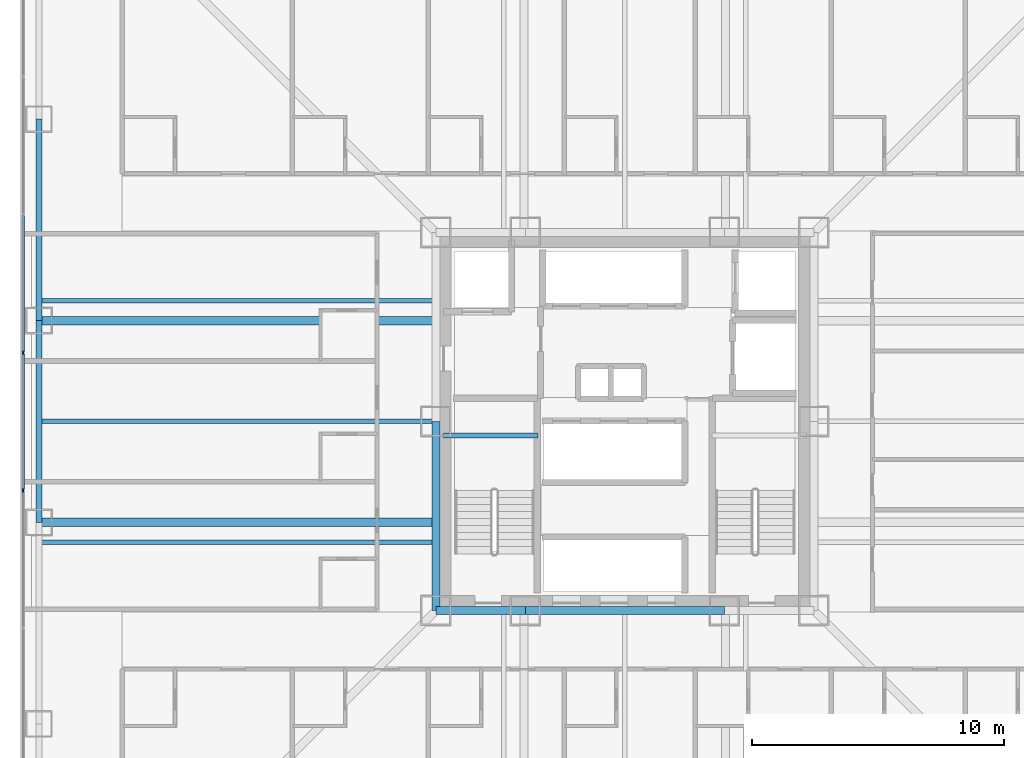
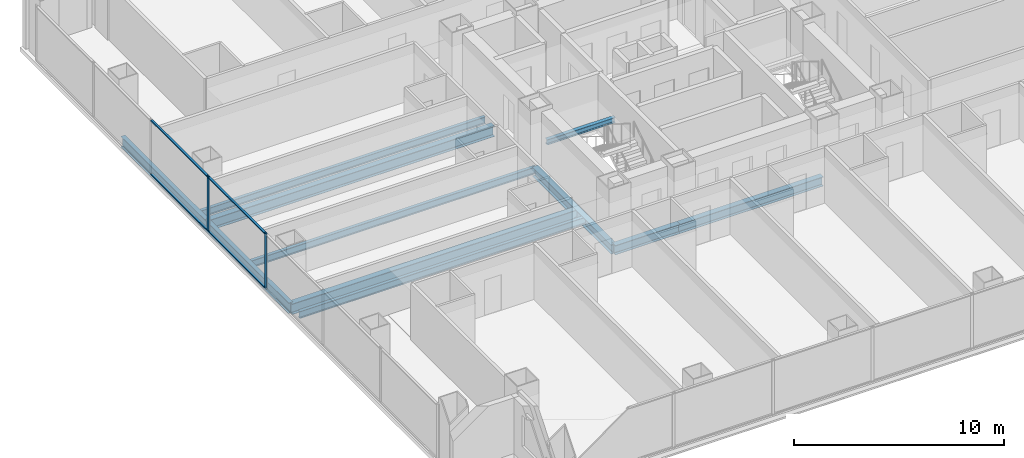
# One storey, part 4 of 17: 11 beams, 6 members, 1 element without a shape of its own.
"""IFC4 building model written with IfcOpenShell, lengths in metres."""

from ifc_helpers import new_model, si_unit, direction, frame, origin, origin_2d, place, context, subcontext, project, spatial, rectangle, i_section, extrude, material, layer, layer_set, material_profile, profile_set, type_object, element, aggregate, save


model = new_model("IFC4")

# Units and contexts
model_context = context("Model", 3, precision=1e-05, world=origin(), true_north=direction((0.0, 1.0)))
body_context = subcontext(model_context, "Body", "Model", "MODEL_VIEW")
ifc_project = project(units=[si_unit("LENGTHUNIT", "METRE"), si_unit("AREAUNIT", "SQUARE_METRE"), si_unit("VOLUMEUNIT", "CUBIC_METRE"), si_unit("PLANEANGLEUNIT", "RADIAN"), si_unit("MASSUNIT", "GRAM", prefix="KILO")], contexts=[model_context])

# Site, building, storey
site_placement = place(None, origin())
site = spatial("IfcSite", under=ifc_project, at=site_placement, CompositionType="ELEMENT")
building_placement = place(site_placement, origin())
building = spatial("IfcBuilding", under=site, at=building_placement, Name="Trevonay Congress Spire", CompositionType="ELEMENT")
storey_placement = place(building_placement, frame((0.0, 0.0, 30.5)))
storey = spatial("IfcBuildingStorey", under=building, at=storey_placement, Name="L06", CompositionType="ELEMENT", Elevation=30.5)

# Beams
ifc_material_1 = material(Name="Steel ASTM A572 Grade 50", Category="steel")
ifc_material_profile_1 = material_profile(ifc_material_1, i_section(OverallWidth=0.31201171875, OverallDepth=0.54296875, WebThickness=0.0126953125, FlangeThickness=0.020263671875, FilletRadius=0.014892578125, at=origin_2d()), Name="W530x150")
ifc_profile_set_1 = profile_set([ifc_material_profile_1], Name="Steel ASTM A572 Grade 50")
beam_type_1 = type_object("IfcBeamType", Name="BM-GIRD-W530X150", PredefinedType="BEAM", material=ifc_profile_set_1)
beam_1_placement = place(storey_placement, frame((-7.5, -7.5, -0.521484375), z_axis=(1.0, 0.0, 0.0), x_axis=(0.0, 1.0, 0.0)))
element("IfcBeam", 1, at=beam_1_placement, inside=storey, type_object=beam_type_1, Name="L06 structural beam BM-L06-CR-S1", PredefinedType="BEAM", context=body_context, shape_type="SweptSolid", body=[
    extrude(i_section(OverallWidth=0.31201171875, OverallDepth=0.54296875, WebThickness=0.0126953125, FlangeThickness=0.020263671875, FilletRadius=0.014892578125, at=origin_2d()), origin(), (0.0, 0.0, 1.0), 3.550048828125),
])
beam_2_placement = place(storey_placement, frame((-3.949951171875, -7.5, -0.521484375), z_axis=(1.0, 0.0, 0.0), x_axis=(0.0, 1.0, 0.0)))
element("IfcBeam", 2, at=beam_2_placement, inside=storey, type_object=beam_type_1, Name="L06 structural beam BM-L06-CR-S2", PredefinedType="BEAM", context=body_context, shape_type="SweptSolid", body=[
    extrude(i_section(OverallWidth=0.31201171875, OverallDepth=0.54296875, WebThickness=0.0126953125, FlangeThickness=0.020263671875, FilletRadius=0.014892578125, at=origin_2d()), origin(), (0.0, 0.0, 1.0), 7.89990234375),
])
beam_3_placement = place(storey_placement, frame((-7.5, -7.5, -0.521484375), z_axis=(0.0, 1.0, 0.0), x_axis=(-1.0, 0.0, 0.0)))
element("IfcBeam", 3, at=beam_3_placement, inside=storey, type_object=beam_type_1, Name="L06 structural beam BM-L06-CR-W1", PredefinedType="BEAM", context=body_context, shape_type="SweptSolid", body=[
    extrude(i_section(OverallWidth=0.31201171875, OverallDepth=0.54296875, WebThickness=0.0126953125, FlangeThickness=0.020263671875, FilletRadius=0.014892578125, at=origin_2d()), origin(), (0.0, 0.0, 1.0), 7.5),
])
ifc_material_profile_2 = material_profile(ifc_material_1, i_section(OverallWidth=0.324951171875, OverallDepth=0.615966796875, WebThickness=0.013916015625, FlangeThickness=0.021484375, FilletRadius=0.01806640625, at=origin_2d()), Name="W610x174")
ifc_profile_set_2 = profile_set([ifc_material_profile_2], Name="Steel ASTM A572 Grade 50")
beam_type_2 = type_object("IfcBeamType", Name="BM-GIRD-W610X174", PredefinedType="BEAM", material=ifc_profile_set_2)
for number, where, z_axis, x_axis, name in (
    (4, (-7.5, -4.0, -0.55810546875), (-1.0, 0.0, 0.0), (0.0, -1.0, 0.0), "L06 structural beam BM-L06-GW-M"),
    (5, (-7.5, 4.0, -0.55810546875), (-1.0, 0.0, 0.0), (0.0, -1.0, 0.0), "L06 structural beam BM-L06-GW-P"),
):
    element("IfcBeam", number, at=place(storey_placement, frame(where, z_axis=z_axis, x_axis=x_axis)), inside=storey, type_object=beam_type_2, Name=name, PredefinedType="BEAM", context=body_context, shape_type="SweptSolid", body=[
        extrude(i_section(OverallWidth=0.324951171875, OverallDepth=0.615966796875, WebThickness=0.013916015625, FlangeThickness=0.021484375, FilletRadius=0.01806640625, at=origin_2d()), origin(), (0.0, 0.0, 1.0), 15.75),
    ])
ifc_material_profile_3 = material_profile(ifc_material_1, i_section(OverallWidth=0.22998046875, OverallDepth=0.616943359375, WebThickness=0.01318359375, FlangeThickness=0.022216796875, FilletRadius=0.01611328125, at=origin_2d()), Name="W610x140")
ifc_profile_set_3 = profile_set([ifc_material_profile_3], Name="Steel ASTM A572 Grade 50")
beam_type_3 = type_object("IfcBeamType", Name="BM-RING-W610X140", PredefinedType="BEAM", material=ifc_profile_set_3)
for number, where, z_axis, x_axis, name in (
    (6, (-23.25, -4.0, -0.55859375), (0.0, 1.0, 0.0), (-1.0, 0.0, 0.0), "L06 structural beam BM-L06-PW3"),
    (7, (-23.25, 4.0, -0.55859375), (0.0, 1.0, 0.0), (-1.0, 0.0, 0.0), "L06 structural beam BM-L06-PW4"),
):
    element("IfcBeam", number, at=place(storey_placement, frame(where, z_axis=z_axis, x_axis=x_axis)), inside=storey, type_object=beam_type_3, Name=name, PredefinedType="BEAM", context=body_context, shape_type="SweptSolid", body=[
        extrude(i_section(OverallWidth=0.22998046875, OverallDepth=0.616943359375, WebThickness=0.01318359375, FlangeThickness=0.022216796875, FilletRadius=0.01611328125, at=origin_2d()), origin(), (0.0, 0.0, 1.0), 8.0),
    ])

# Curtain wall, members
ifc_material_2 = material(Name="Pale Anodised Aluminium EN AW-6063-T6", Category="aluminium")
ifc_layer = layer(ifc_material_2, 0.179931640625, Name="Pale Anodised Aluminium EN AW-6063-T6")
ifc_layer_set = layer_set([ifc_layer], Name="Pale Anodised Aluminium EN AW-6063-T6")
curtain_wall_type = type_object("IfcCurtainWallType", Name="CW-SYS02-HOTEL-PALE-METAL", PredefinedType="NOTDEFINED", material=ifc_layer_set)
curtain_wall_placement = place(storey_placement, origin())
curtain_wall = element("IfcCurtainWall", 8, at=curtain_wall_placement, inside=storey, type_object=curtain_wall_type, Name="L06 W unitised curtain wall", PredefinedType="NOTDEFINED")
ifc_material_profile_4 = material_profile(ifc_material_2, rectangle(XDim=0.06005859375, YDim=0.159912109375, at=origin_2d()), Name="CW-MULLION-160-ALUMINIUM")
ifc_profile_set_4 = profile_set([ifc_material_profile_4], Name="Pale Anodised Aluminium EN AW-6063-T6")
member_type_1 = type_object("IfcMemberType", Name="CW-MULLION-160-ALUMINIUM", PredefinedType="MULLION", material=ifc_profile_set_4)
member_1_placement = place(storey_placement, frame((-23.8798828125, -2.735595703125, 0.0), z_axis=(0.0, 0.0, 1.0), x_axis=(-1.0, 0.0, 0.0)))
member_1 = element("IfcMember", 9, at=member_1_placement, type_object=member_type_1, Name="CW02 mullion 4", PredefinedType="MULLION", context=body_context, shape_type="SweptSolid", body=[
    extrude(rectangle(XDim=0.06005859375, YDim=0.159912109375, at=origin_2d()), origin(), (0.0, 0.0, 1.0), 3.25),
])
member_2_placement = place(storey_placement, frame((-23.8798828125, 2.735595703125, 0.0), z_axis=(0.0, 0.0, 1.0), x_axis=(-1.0, 0.0, 0.0)))
member_2 = element("IfcMember", 10, at=member_2_placement, type_object=member_type_1, Name="CW02 mullion 5", PredefinedType="MULLION", context=body_context, shape_type="SweptSolid", body=[
    extrude(rectangle(XDim=0.06005859375, YDim=0.159912109375, at=origin_2d()), origin(), (0.0, 0.0, 1.0), 3.25),
])
ifc_material_profile_5 = material_profile(ifc_material_2, rectangle(XDim=0.1201171875, YDim=0.06005859375, at=origin_2d()), Name="CW-TRANSOM-120-ALUMINIUM")
ifc_profile_set_5 = profile_set([ifc_material_profile_5], Name="Pale Anodised Aluminium EN AW-6063-T6")
member_type_2 = type_object("IfcMemberType", Name="CW-TRANSOM-120-ALUMINIUM", PredefinedType="USERDEFINED", material=ifc_profile_set_5)
member_3_placement = place(storey_placement, frame((-23.8798828125, -2.705810546875, 0.06005859375), z_axis=(0.0, 1.0, 0.0), x_axis=(-1.0, 0.0, 0.0)))
member_3 = element("IfcMember", 11, at=member_3_placement, type_object=member_type_2, Name="CW02 transom 4.1", ObjectType="TRANSOM", PredefinedType="USERDEFINED", context=body_context, shape_type="SweptSolid", body=[
    extrude(rectangle(XDim=0.1201171875, YDim=0.06005859375, at=origin_2d()), origin(), (0.0, 0.0, 1.0), 5.41162109375),
])
member_4_placement = place(storey_placement, frame((-23.8798828125, -2.705810546875, 3.18994140625), z_axis=(0.0, 1.0, 0.0), x_axis=(-1.0, 0.0, 0.0)))
member_4 = element("IfcMember", 12, at=member_4_placement, type_object=member_type_2, Name="CW02 transom 4.2", ObjectType="TRANSOM", PredefinedType="USERDEFINED", context=body_context, shape_type="SweptSolid", body=[
    extrude(rectangle(XDim=0.1201171875, YDim=0.06005859375, at=origin_2d()), origin(), (0.0, 0.0, 1.0), 5.41162109375),
])
member_5_placement = place(storey_placement, frame((-23.8798828125, 2.765625, 0.06005859375), z_axis=(0.0, 1.0, 0.0), x_axis=(-1.0, 0.0, 0.0)))
member_5 = element("IfcMember", 13, at=member_5_placement, type_object=member_type_2, Name="CW02 transom 5.1", ObjectType="TRANSOM", PredefinedType="USERDEFINED", context=body_context, shape_type="SweptSolid", body=[
    extrude(rectangle(XDim=0.1201171875, YDim=0.06005859375, at=origin_2d()), origin(), (0.0, 0.0, 1.0), 5.41162109375),
])
member_6_placement = place(storey_placement, frame((-23.8798828125, 2.765625, 3.18994140625), z_axis=(0.0, 1.0, 0.0), x_axis=(-1.0, 0.0, 0.0)))
member_6 = element("IfcMember", 14, at=member_6_placement, type_object=member_type_2, Name="CW02 transom 5.2", ObjectType="TRANSOM", PredefinedType="USERDEFINED", context=body_context, shape_type="SweptSolid", body=[
    extrude(rectangle(XDim=0.1201171875, YDim=0.06005859375, at=origin_2d()), origin(), (0.0, 0.0, 1.0), 5.41162109375),
])
aggregate(curtain_wall, [member_1, member_2, member_3, member_4, member_5, member_6])

# Beams
ifc_material_profile_6 = material_profile(ifc_material_1, i_section(OverallWidth=0.177978515625, OverallDepth=0.406982421875, WebThickness=0.0078125, FlangeThickness=0.0126953125, FilletRadius=0.012939453125, at=origin_2d()), Name="W410x60")
ifc_profile_set_6 = profile_set([ifc_material_profile_6], Name="Steel ASTM A572 Grade 50")
beam_type_4 = type_object("IfcBeamType", Name="JS-COMP-W410X60", PredefinedType="JOIST", material=ifc_profile_set_6)
for number, where, z_axis, x_axis, name in (
    (15, (-23.25, -4.800048828125, -0.45361328125), (1.0, 0.0, 0.0), (0.0, 1.0, 0.0), "L06 structural beam JS-L06-EW-W1"),
    (16, (-23.25, 0.0, -0.45361328125), (1.0, 0.0, 0.0), (0.0, 1.0, 0.0), "L06 structural beam JS-L06-EW-W2"),
    (17, (-23.25, 4.800048828125, -0.45361328125), (1.0, 0.0, 0.0), (0.0, 1.0, 0.0), "L06 structural beam JS-L06-EW-W3"),
):
    element("IfcBeam", number, at=place(storey_placement, frame(where, z_axis=z_axis, x_axis=x_axis)), inside=storey, type_object=beam_type_4, Name=name, PredefinedType="JOIST", context=body_context, shape_type="SweptSolid", body=[
        extrude(i_section(OverallWidth=0.177978515625, OverallDepth=0.406982421875, WebThickness=0.0078125, FlangeThickness=0.0126953125, FilletRadius=0.012939453125, at=origin_2d()), origin(), (0.0, 0.0, 1.0), 15.75),
    ])
ifc_material_profile_7 = material_profile(ifc_material_1, i_section(OverallWidth=0.2041015625, OverallDepth=0.305908203125, WebThickness=0.008544921875, FlangeThickness=0.0146484375, FilletRadius=0.010986328125, at=origin_2d()), Name="W310x67")
ifc_profile_set_7 = profile_set([ifc_material_profile_7], Name="Steel ASTM A572 Grade 50")
beam_type_5 = type_object("IfcBeamType", Name="LN-CORE-W310X67", PredefinedType="LINTEL", material=ifc_profile_set_7)
beam_4_placement = place(storey_placement, frame((-7.199951171875, -0.550048828125, 1.39697265625), z_axis=(1.0, 0.0, 0.0), x_axis=(0.0, 1.0, 0.0)))
element("IfcBeam", 18, at=beam_4_placement, inside=storey, type_object=beam_type_5, Name="L06 structural beam BM-L06-HL-ST1", PredefinedType="LINTEL", context=body_context, shape_type="SweptSolid", body=[
    extrude(i_section(OverallWidth=0.2041015625, OverallDepth=0.305908203125, WebThickness=0.008544921875, FlangeThickness=0.0146484375, FilletRadius=0.010986328125, at=origin_2d()), origin(), (0.0, 0.0, 1.0), 3.75),
])

save(model, "model.ifc")
